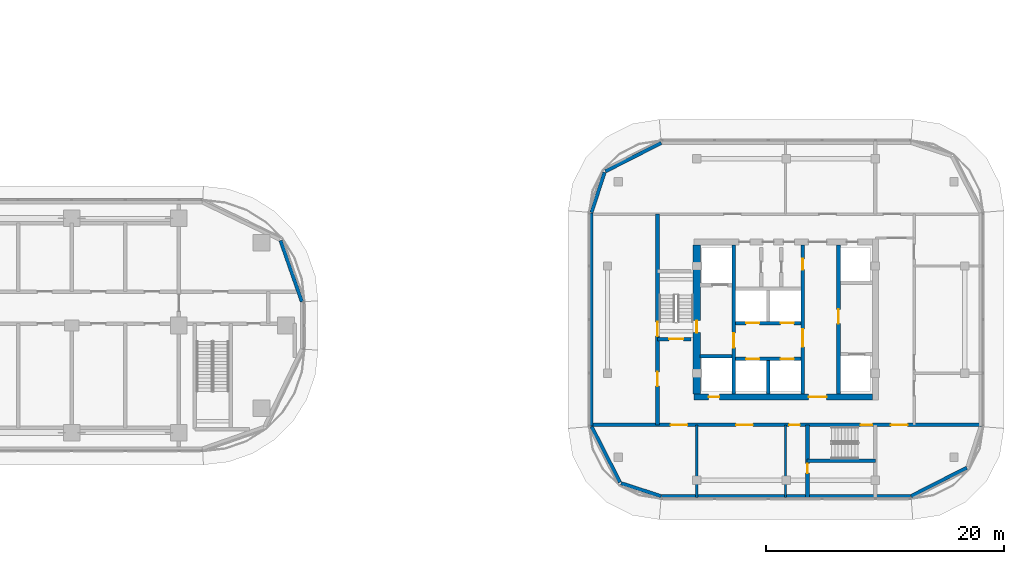
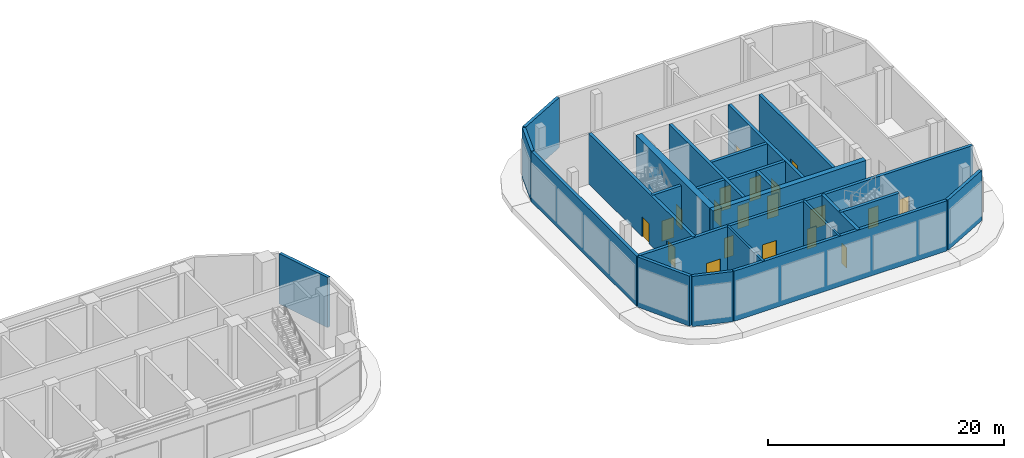
# One storey, part 7 of 23: 24 walls, 20 doors, 20 openings.
"""IFC4 building model written with IfcOpenShell, lengths in metres."""

from ifc_helpers import new_model, si_unit, direction, frame, frame_2d, origin, place, context, subcontext, project, spatial, rectangle, extrude, material, layer, layer_set, type_object, element, fill, save


model = new_model("IFC4")

# Units and contexts
model_context = context("Model", 3, precision=1e-05, world=origin(), true_north=direction((0.0, 1.0)))
body_context = subcontext(model_context, "Body", "Model", "MODEL_VIEW")
ifc_project = project(units=[si_unit("LENGTHUNIT", "METRE"), si_unit("AREAUNIT", "SQUARE_METRE"), si_unit("VOLUMEUNIT", "CUBIC_METRE"), si_unit("PLANEANGLEUNIT", "RADIAN"), si_unit("MASSUNIT", "GRAM", prefix="KILO")], contexts=[model_context])

# Site, building, storey
site_placement = place(None, origin())
site = spatial("IfcSite", under=ifc_project, at=site_placement, CompositionType="ELEMENT")
building_placement = place(site_placement, origin())
building = spatial("IfcBuilding", under=site, at=building_placement, Name="Ogive Portal Towers", CompositionType="ELEMENT")
storey_placement = place(building_placement, frame((0.0, 0.0, 81.60009765625)))
storey = spatial("IfcBuildingStorey", under=building, at=storey_placement, Name="L19", CompositionType="ELEMENT", Elevation=81.60009765625)

# Wall, opening, door
ifc_material_1 = material(Name="Concrete C60/75", Category="concrete")
ifc_layer_1 = layer(ifc_material_1, 0.300048828125)
ifc_layer_set_1 = layer_set([ifc_layer_1], Name="CORE WALL 300 C60")
wall_type_1 = type_object("IfcWallType", Name="CORE WALL 300 C60", PredefinedType="SHEAR", material=ifc_layer_set_1)
wall_1_placement = place(storey_placement, frame((132.10009765625, 24.75, 0.0), z_axis=(0.0, 0.0, 1.0), x_axis=(0.0, 1.0, 0.0)))
wall_1 = element("IfcWall", 1, at=wall_1_placement, inside=storey, type_object=wall_type_1, Name="Tower B core wall BX1 L19", PredefinedType="SHEAR", context=body_context, shape_type="SweptSolid", body=[
    extrude(rectangle(XDim=12.5, YDim=0.300048828125, at=frame_2d((6.25, 0.0))), origin(), (0.0, 0.0, 1.0), 5.5),
])
opening_1_placement = place(wall_1_placement, frame((3.89990234375, 0.0, 0.0)))
opening_1 = element("IfcOpeningElement", 2, at=opening_1_placement, cuts=wall_1, Name="Opening B06-020", PredefinedType="OPENING", context=body_context, shape_type="SweptSolid", body=[
    extrude(rectangle(XDim=1.199951171875, YDim=2.10009765625, at=frame_2d((0.60009765625, 1.050048828125))), frame((0.0, 0.16015625, 0.0), z_axis=(0.0, -1.0, 0.0), x_axis=(1.0, 0.0, 0.0)), (0.0, 0.0, 1.0), 0.320068359375),
])
ifc_material_2 = material(Name="Steel fire door", Category="steel")
door_type_1 = type_object("IfcDoorType", Name="DT-SWING-1200x2100-FD90S", OperationType="SINGLE_SWING_LEFT", PredefinedType="DOOR", material=ifc_material_2)
door_1_placement = place(opening_1_placement, origin())
door_1 = element("IfcDoor", 3, at=door_1_placement, inside=storey, type_object=door_type_1, Name="Door B06-020", OperationType="SINGLE_SWING_LEFT", OverallHeight=2.10009765625, OverallWidth=1.199951171875, PredefinedType="DOOR", context=body_context, shape_type="SweptSolid", body=[
    extrude(rectangle(XDim=1.199951171875, YDim=2.10009765625, at=frame_2d((0.60009765625, 1.050048828125))), frame((0.0, 0.02490234375, 0.0), z_axis=(0.0, -1.0, 0.0), x_axis=(1.0, 0.0, 0.0)), (0.0, 0.0, 1.0), 0.050048828125),
])
fill(opening_1, door_1)

# Wall, openings, doors
wall_2_placement = place(storey_placement, frame((137.89990234375, 24.75, 0.0), z_axis=(0.0, 0.0, 1.0), x_axis=(0.0, 1.0, 0.0)))
wall_2 = element("IfcWall", 4, at=wall_2_placement, inside=storey, type_object=wall_type_1, Name="Tower B core wall BX2 L19", PredefinedType="SHEAR", context=body_context, shape_type="SweptSolid", body=[
    extrude(rectangle(XDim=12.5, YDim=0.300048828125, at=frame_2d((6.25, 0.0))), origin(), (0.0, 0.0, 1.0), 5.5),
])
opening_2_placement = place(wall_2_placement, frame((3.949951171875, 0.0, 0.0)))
opening_2 = element("IfcOpeningElement", 5, at=opening_2_placement, cuts=wall_2, Name="Opening B06-019", PredefinedType="OPENING", context=body_context, shape_type="SweptSolid", body=[
    extrude(rectangle(XDim=1.5, YDim=2.10009765625, at=frame_2d((0.75, 1.050048828125))), frame((0.0, 0.16015625, 0.0), z_axis=(0.0, -1.0, 0.0), x_axis=(1.0, 0.0, 0.0)), (0.0, 0.0, 1.0), 0.320068359375),
])
opening_3_placement = place(wall_2_placement, frame((10.449951171875, 0.0, 0.0)))
opening_3 = element("IfcOpeningElement", 6, at=opening_3_placement, cuts=wall_2, Name="Opening B06-036", PredefinedType="OPENING", context=body_context, shape_type="SweptSolid", body=[
    extrude(rectangle(XDim=0.89990234375, YDim=2.10009765625, at=frame_2d((0.449951171875, 1.050048828125))), frame((0.0, 0.16015625, 0.0), z_axis=(0.0, -1.0, 0.0), x_axis=(1.0, 0.0, 0.0)), (0.0, 0.0, 1.0), 0.320068359375),
])
door_type_2 = type_object("IfcDoorType", Name="DT-SWING-1500x2100-FD90S", OperationType="SINGLE_SWING_LEFT", PredefinedType="DOOR", material=ifc_material_2)
door_2_placement = place(opening_2_placement, origin())
door_2 = element("IfcDoor", 7, at=door_2_placement, inside=storey, type_object=door_type_2, Name="Door B06-019", OperationType="SINGLE_SWING_RIGHT", OverallHeight=2.10009765625, OverallWidth=1.5, PredefinedType="DOOR", context=body_context, shape_type="SweptSolid", body=[
    extrude(rectangle(XDim=1.5, YDim=2.10009765625, at=frame_2d((0.75, 1.050048828125))), frame((0.0, 0.02490234375, 0.0), z_axis=(0.0, -1.0, 0.0), x_axis=(1.0, 0.0, 0.0)), (0.0, 0.0, 1.0), 0.050048828125),
])
fill(opening_2, door_2)
door_type_3 = type_object("IfcDoorType", Name="DT-SWING-900x2100-FD90S", OperationType="SINGLE_SWING_LEFT", PredefinedType="DOOR", material=ifc_material_2)
door_3_placement = place(opening_3_placement, origin())
door_3 = element("IfcDoor", 8, at=door_3_placement, inside=storey, type_object=door_type_3, Name="Door B06-036", OperationType="SINGLE_SWING_RIGHT", OverallHeight=2.10009765625, OverallWidth=0.89990234375, PredefinedType="DOOR", context=body_context, shape_type="SweptSolid", body=[
    extrude(rectangle(XDim=0.89990234375, YDim=2.10009765625, at=frame_2d((0.449951171875, 1.050048828125))), frame((0.0, 0.02490234375, 0.0), z_axis=(0.0, -1.0, 0.0), x_axis=(1.0, 0.0, 0.0)), (0.0, 0.0, 1.0), 0.050048828125),
])
fill(opening_3, door_3)

# Wall, opening, door
wall_3_placement = place(storey_placement, frame((140.89990234375, 24.75, 0.0), z_axis=(0.0, 0.0, 1.0), x_axis=(0.0, 1.0, 0.0)))
wall_3 = element("IfcWall", 9, at=wall_3_placement, inside=storey, type_object=wall_type_1, Name="Tower B core wall BX3 L19", PredefinedType="SHEAR", context=body_context, shape_type="SweptSolid", body=[
    extrude(rectangle(XDim=12.5, YDim=0.300048828125, at=frame_2d((6.25, 0.0))), origin(), (0.0, 0.0, 1.0), 5.5),
])
opening_4_placement = place(wall_3_placement, frame((5.89990234375, 0.0, 0.0)))
opening_4 = element("IfcOpeningElement", 10, at=opening_4_placement, cuts=wall_3, Name="Opening B06-021", PredefinedType="OPENING", context=body_context, shape_type="SweptSolid", body=[
    extrude(rectangle(XDim=1.199951171875, YDim=2.10009765625, at=frame_2d((0.60009765625, 1.050048828125))), frame((0.0, 0.16015625, 0.0), z_axis=(0.0, -1.0, 0.0), x_axis=(1.0, 0.0, 0.0)), (0.0, 0.0, 1.0), 0.320068359375),
])
door_4_placement = place(opening_4_placement, origin())
door_4 = element("IfcDoor", 11, at=door_4_placement, inside=storey, type_object=door_type_1, Name="Door B06-021", OperationType="SINGLE_SWING_RIGHT", OverallHeight=2.10009765625, OverallWidth=1.199951171875, PredefinedType="DOOR", context=body_context, shape_type="SweptSolid", body=[
    extrude(rectangle(XDim=1.199951171875, YDim=2.10009765625, at=frame_2d((0.60009765625, 1.050048828125))), frame((0.0, 0.02490234375, 0.0), z_axis=(0.0, -1.0, 0.0), x_axis=(1.0, 0.0, 0.0)), (0.0, 0.0, 1.0), 0.050048828125),
])
fill(opening_4, door_4)

# Wall
wall_4_placement = place(storey_placement, frame((135.0, 24.75, 0.0), z_axis=(0.0, 0.0, 1.0), x_axis=(0.0, 1.0, 0.0)))
element("IfcWall", 12, at=wall_4_placement, inside=storey, type_object=wall_type_1, Name="Tower B core wall BX4 L19", PredefinedType="SHEAR", context=body_context, shape_type="SweptSolid", body=[
    extrude(rectangle(XDim=2.800048828125, YDim=0.300048828125, at=frame_2d((1.39990234375, 0.0))), origin(), (0.0, 0.0, 1.0), 5.5),
])

# Wall, openings, doors
wall_5_placement = place(storey_placement, frame((132.25, 27.699951171875, 0.0), z_axis=(0.0, 0.0, 1.0), x_axis=(1.0, 0.0, 0.0)))
wall_5 = element("IfcWall", 13, at=wall_5_placement, inside=storey, type_object=wall_type_1, Name="Tower B core wall BY1 L19", PredefinedType="SHEAR", context=body_context, shape_type="SweptSolid", body=[
    extrude(rectangle(XDim=5.5, YDim=0.300048828125, at=frame_2d((2.75, 0.0))), origin(), (0.0, 0.0, 1.0), 5.5),
])
opening_5_placement = place(wall_5_placement, frame((0.89990234375, 0.0, 0.0)))
opening_5 = element("IfcOpeningElement", 14, at=opening_5_placement, cuts=wall_5, Name="Opening B06-027", PredefinedType="OPENING", context=body_context, shape_type="SweptSolid", body=[
    extrude(rectangle(XDim=1.10009765625, YDim=2.39990234375, at=frame_2d((0.550048828125, 1.199951171875))), frame((0.0, 0.16015625, 0.0), z_axis=(0.0, -1.0, 0.0), x_axis=(1.0, 0.0, 0.0)), (0.0, 0.0, 1.0), 0.320068359375),
])
opening_6_placement = place(wall_5_placement, frame((3.800048828125, 0.0, 0.0)))
opening_6 = element("IfcOpeningElement", 15, at=opening_6_placement, cuts=wall_5, Name="Opening B06-028", PredefinedType="OPENING", context=body_context, shape_type="SweptSolid", body=[
    extrude(rectangle(XDim=1.10009765625, YDim=2.39990234375, at=frame_2d((0.550048828125, 1.199951171875))), frame((0.0, 0.16015625, 0.0), z_axis=(0.0, -1.0, 0.0), x_axis=(1.0, 0.0, 0.0)), (0.0, 0.0, 1.0), 0.320068359375),
])
ifc_material_3 = material(Name="Stainless steel", Category="steel")
door_type_4 = type_object("IfcDoorType", Name="DT-LD-1100x2400", OperationType="SLIDING_TO_LEFT", PredefinedType="DOOR", material=ifc_material_3)
door_5_placement = place(opening_5_placement, origin())
door_5 = element("IfcDoor", 16, at=door_5_placement, inside=storey, type_object=door_type_4, Name="Door B06-027", OperationType="SLIDING_TO_LEFT", OverallHeight=2.39990234375, OverallWidth=1.10009765625, PredefinedType="DOOR", context=body_context, shape_type="SweptSolid", body=[
    extrude(rectangle(XDim=1.10009765625, YDim=2.39990234375, at=frame_2d((0.550048828125, 1.199951171875))), frame((0.0, 0.02490234375, 0.0), z_axis=(0.0, -1.0, 0.0), x_axis=(1.0, 0.0, 0.0)), (0.0, 0.0, 1.0), 0.050048828125),
])
fill(opening_5, door_5)
door_6_placement = place(opening_6_placement, origin())
door_6 = element("IfcDoor", 17, at=door_6_placement, inside=storey, type_object=door_type_4, Name="Door B06-028", OperationType="SLIDING_TO_LEFT", OverallHeight=2.39990234375, OverallWidth=1.10009765625, PredefinedType="DOOR", context=body_context, shape_type="SweptSolid", body=[
    extrude(rectangle(XDim=1.10009765625, YDim=2.39990234375, at=frame_2d((0.550048828125, 1.199951171875))), frame((0.0, 0.02490234375, 0.0), z_axis=(0.0, -1.0, 0.0), x_axis=(1.0, 0.0, 0.0)), (0.0, 0.0, 1.0), 0.050048828125),
])
fill(opening_6, door_6)

wall_6_placement = place(storey_placement, frame((132.25, 30.699951171875, 0.0), z_axis=(0.0, 0.0, 1.0), x_axis=(1.0, 0.0, 0.0)))
wall_6 = element("IfcWall", 18, at=wall_6_placement, inside=storey, type_object=wall_type_1, Name="Tower B core wall BY2 L19", PredefinedType="SHEAR", context=body_context, shape_type="SweptSolid", body=[
    extrude(rectangle(XDim=5.5, YDim=0.300048828125, at=frame_2d((2.75, 0.0))), origin(), (0.0, 0.0, 1.0), 5.5),
])
opening_7_placement = place(wall_6_placement, frame((0.89990234375, 0.0, 0.0)))
opening_7 = element("IfcOpeningElement", 19, at=opening_7_placement, cuts=wall_6, Name="Opening B06-029", PredefinedType="OPENING", context=body_context, shape_type="SweptSolid", body=[
    extrude(rectangle(XDim=1.10009765625, YDim=2.39990234375, at=frame_2d((0.550048828125, 1.199951171875))), frame((0.0, 0.16015625, 0.0), z_axis=(0.0, -1.0, 0.0), x_axis=(1.0, 0.0, 0.0)), (0.0, 0.0, 1.0), 0.320068359375),
])
opening_8_placement = place(wall_6_placement, frame((3.800048828125, 0.0, 0.0)))
opening_8 = element("IfcOpeningElement", 20, at=opening_8_placement, cuts=wall_6, Name="Opening B06-030", PredefinedType="OPENING", context=body_context, shape_type="SweptSolid", body=[
    extrude(rectangle(XDim=1.10009765625, YDim=2.39990234375, at=frame_2d((0.550048828125, 1.199951171875))), frame((0.0, 0.16015625, 0.0), z_axis=(0.0, -1.0, 0.0), x_axis=(1.0, 0.0, 0.0)), (0.0, 0.0, 1.0), 0.320068359375),
])
door_7_placement = place(opening_7_placement, origin())
door_7 = element("IfcDoor", 21, at=door_7_placement, inside=storey, type_object=door_type_4, Name="Door B06-029", OperationType="SLIDING_TO_LEFT", OverallHeight=2.39990234375, OverallWidth=1.10009765625, PredefinedType="DOOR", context=body_context, shape_type="SweptSolid", body=[
    extrude(rectangle(XDim=1.10009765625, YDim=2.39990234375, at=frame_2d((0.550048828125, 1.199951171875))), frame((0.0, 0.02490234375, 0.0), z_axis=(0.0, -1.0, 0.0), x_axis=(1.0, 0.0, 0.0)), (0.0, 0.0, 1.0), 0.050048828125),
])
fill(opening_7, door_7)
door_8_placement = place(opening_8_placement, origin())
door_8 = element("IfcDoor", 22, at=door_8_placement, inside=storey, type_object=door_type_4, Name="Door B06-030", OperationType="SLIDING_TO_LEFT", OverallHeight=2.39990234375, OverallWidth=1.10009765625, PredefinedType="DOOR", context=body_context, shape_type="SweptSolid", body=[
    extrude(rectangle(XDim=1.10009765625, YDim=2.39990234375, at=frame_2d((0.550048828125, 1.199951171875))), frame((0.0, 0.02490234375, 0.0), z_axis=(0.0, -1.0, 0.0), x_axis=(1.0, 0.0, 0.0)), (0.0, 0.0, 1.0), 0.050048828125),
])
fill(opening_8, door_8)

# Wall
wall_7_placement = place(storey_placement, frame((129.25, 27.89990234375, 0.0), z_axis=(0.0, 0.0, 1.0), x_axis=(1.0, 0.0, 0.0)))
element("IfcWall", 23, at=wall_7_placement, inside=storey, type_object=wall_type_1, Name="Tower B core wall BY4 L19", PredefinedType="SHEAR", context=body_context, shape_type="SweptSolid", body=[
    extrude(rectangle(XDim=2.699951171875, YDim=0.300048828125, at=frame_2d((1.35009765625, 0.0))), origin(), (0.0, 0.0, 1.0), 5.5),
])

# Wall, openings, doors
ifc_layer_2 = layer(ifc_material_1, 0.5)
ifc_layer_set_2 = layer_set([ifc_layer_2], Name="CORE WALL 500 C60")
wall_type_2 = type_object("IfcWallType", Name="CORE WALL 500 C60", PredefinedType="SHEAR", material=ifc_layer_set_2)
wall_8_placement = place(storey_placement, frame((128.75, 24.5, 0.0), z_axis=(0.0, 0.0, 1.0), x_axis=(1.0, 0.0, 0.0)))
wall_8 = element("IfcWall", 24, at=wall_8_placement, inside=storey, type_object=wall_type_2, Name="Tower B core wall BS L19", PredefinedType="SHEAR", context=body_context, shape_type="SweptSolid", body=[
    extrude(rectangle(XDim=15.0, YDim=0.5, at=frame_2d((7.5, 0.0))), origin(), (0.0, 0.0, 1.0), 5.5),
])
opening_9_placement = place(wall_8_placement, frame((9.64990234375, 0.0, 0.0)))
opening_9 = element("IfcOpeningElement", 25, at=opening_9_placement, cuts=wall_8, Name="Opening B06-023", PredefinedType="OPENING", context=body_context, shape_type="SweptSolid", body=[
    extrude(rectangle(XDim=1.5, YDim=2.10009765625, at=frame_2d((0.75, 1.050048828125))), frame((0.0, 0.260009765625, 0.0), z_axis=(0.0, -1.0, 0.0), x_axis=(1.0, 0.0, 0.0)), (0.0, 0.0, 1.0), 0.52001953125),
])
opening_10_placement = place(wall_8_placement, frame((1.25, 0.0, 0.0)))
opening_10 = element("IfcOpeningElement", 26, at=opening_10_placement, cuts=wall_8, Name="Opening B06-025", PredefinedType="OPENING", context=body_context, shape_type="SweptSolid", body=[
    extrude(rectangle(XDim=0.89990234375, YDim=2.10009765625, at=frame_2d((0.449951171875, 1.050048828125))), frame((0.0, 0.260009765625, 0.0), z_axis=(0.0, -1.0, 0.0), x_axis=(1.0, 0.0, 0.0)), (0.0, 0.0, 1.0), 0.52001953125),
])
door_9_placement = place(opening_9_placement, origin())
door_9 = element("IfcDoor", 27, at=door_9_placement, inside=storey, type_object=door_type_2, Name="Door B06-023", OperationType="SINGLE_SWING_LEFT", OverallHeight=2.10009765625, OverallWidth=1.5, PredefinedType="DOOR", context=body_context, shape_type="SweptSolid", body=[
    extrude(rectangle(XDim=1.5, YDim=2.10009765625, at=frame_2d((0.75, 1.050048828125))), frame((0.0, 0.02490234375, 0.0), z_axis=(0.0, -1.0, 0.0), x_axis=(1.0, 0.0, 0.0)), (0.0, 0.0, 1.0), 0.050048828125),
])
fill(opening_9, door_9)
door_10_placement = place(opening_10_placement, origin())
door_10 = element("IfcDoor", 28, at=door_10_placement, inside=storey, type_object=door_type_3, Name="Riser access door B06-025", OperationType="SINGLE_SWING_LEFT", OverallHeight=2.10009765625, OverallWidth=0.89990234375, PredefinedType="DOOR", context=body_context, shape_type="SweptSolid", body=[
    extrude(rectangle(XDim=0.89990234375, YDim=2.10009765625, at=frame_2d((0.449951171875, 1.050048828125))), frame((0.0, 0.02490234375, 0.0), z_axis=(0.0, -1.0, 0.0), x_axis=(1.0, 0.0, 0.0)), (0.0, 0.0, 1.0), 0.050048828125),
])
fill(opening_10, door_10)

# Wall, opening, door
ifc_layer_3 = layer(ifc_material_1, 0.60009765625)
ifc_layer_set_3 = layer_set([ifc_layer_3], Name="CORE WALL 600 C60")
wall_type_3 = type_object("IfcWallType", Name="CORE WALL 600 C60", PredefinedType="SHEAR", material=ifc_layer_set_3)
wall_9_placement = place(storey_placement, frame((129.0, 24.75, 0.0), z_axis=(0.0, 0.0, 1.0), x_axis=(0.0, 1.0, 0.0)))
wall_9 = element("IfcWall", 29, at=wall_9_placement, inside=storey, type_object=wall_type_3, Name="Tower B core wall BW L19", PredefinedType="SHEAR", context=body_context, shape_type="SweptSolid", body=[
    extrude(rectangle(XDim=12.5, YDim=0.60009765625, at=frame_2d((6.25, 0.0))), origin(), (0.0, 0.0, 1.0), 5.5),
])
opening_11_placement = place(wall_9_placement, frame((5.14990234375, 0.0, 0.0)))
opening_11 = element("IfcOpeningElement", 30, at=opening_11_placement, cuts=wall_9, Name="Opening B06-022", PredefinedType="OPENING", context=body_context, shape_type="SweptSolid", body=[
    extrude(rectangle(XDim=1.0, YDim=2.10009765625, at=frame_2d((0.5, 1.050048828125))), frame((0.0, 0.31005859375, 0.0), z_axis=(0.0, -1.0, 0.0), x_axis=(1.0, 0.0, 0.0)), (0.0, 0.0, 1.0), 0.6201171875),
])
door_type_5 = type_object("IfcDoorType", Name="DT-SWING-1000x2100-FD90S", OperationType="SINGLE_SWING_LEFT", PredefinedType="DOOR", material=ifc_material_2)
door_11_placement = place(opening_11_placement, origin())
door_11 = element("IfcDoor", 31, at=door_11_placement, inside=storey, type_object=door_type_5, Name="Door B06-022", OperationType="SINGLE_SWING_RIGHT", OverallHeight=2.10009765625, OverallWidth=1.0, PredefinedType="DOOR", context=body_context, shape_type="SweptSolid", body=[
    extrude(rectangle(XDim=1.0, YDim=2.10009765625, at=frame_2d((0.5, 1.050048828125))), frame((0.0, 0.02490234375, 0.0), z_axis=(0.0, -1.0, 0.0), x_axis=(1.0, 0.0, 0.0)), (0.0, 0.0, 1.0), 0.050048828125),
])
fill(opening_11, door_11)

# Walls
ifc_material_4 = material(Name="Limestone cladding on lightweight block wall", Category="masonry")
ifc_layer_4 = layer(ifc_material_4, 0.300048828125)
ifc_layer_set_4 = layer_set([ifc_layer_4], Name="EXTERNAL WALL 300 STONE")
wall_type_4 = type_object("IfcWallType", Name="EXTERNAL WALL 300 STONE", PredefinedType="SOLIDWALL", material=ifc_layer_set_4)
wall_10_placement = place(storey_placement, frame((95.841552734375, 32.49853515625, 0.0), z_axis=(0.0, 0.0, 1.0), x_axis=(-0.330290447423, 0.943879346284, 0.0)))
element("IfcWall", 32, at=wall_10_placement, inside=storey, type_object=wall_type_4, Name="A:L19:f10:r0:wall", PredefinedType="SOLIDWALL", context=body_context, shape_type="SweptSolid", body=[
    extrude(rectangle(XDim=5.439453125, YDim=0.300048828125, at=frame_2d((2.7197265625, 0.0))), origin(), (0.0, 0.0, 1.0), 5.199951171875),
])
wall_11_placement = place(storey_placement, frame((120.166259765625, 22.00390625, 0.0), z_axis=(0.0, 0.0, 1.0), x_axis=(0.454006562826, -0.890998339455, 0.0)))
element("IfcWall", 33, at=wall_11_placement, inside=storey, type_object=wall_type_4, Name="B:L19:f00:r0:wall", PredefinedType="SOLIDWALL", context=body_context, shape_type="SweptSolid", body=[
    extrude(rectangle(XDim=5.251708984375, YDim=0.300048828125, at=frame_2d((2.6259765625, 0.0))), origin(), (0.0, 0.0, 1.0), 5.199951171875),
])
wall_12_placement = place(storey_placement, frame((122.637939453125, 17.250244140625, 0.0), z_axis=(0.0, 0.0, 1.0), x_axis=(0.951038127287, -0.309073584194, 0.0)))
element("IfcWall", 34, at=wall_12_placement, inside=storey, type_object=wall_type_4, Name="B:L19:f01:r0:wall", PredefinedType="SOLIDWALL", context=body_context, shape_type="SweptSolid", body=[
    extrude(rectangle(XDim=3.536376953125, YDim=0.300048828125, at=frame_2d((1.76806640625, 0.0))), origin(), (0.0, 0.0, 1.0), 5.199951171875),
])
wall_13_placement = place(storey_placement, frame((126.047607421875, 16.14990234375, 0.0), z_axis=(0.0, 0.0, 1.0), x_axis=(1.0, 0.0, 0.0)))
element("IfcWall", 35, at=wall_13_placement, inside=storey, type_object=wall_type_4, Name="B:L19:f02:r0:wall", PredefinedType="SOLIDWALL", context=body_context, shape_type="SweptSolid", body=[
    extrude(rectangle(XDim=20.88037109375, YDim=0.300048828125, at=frame_2d((10.440185546875, 0.0))), origin(), (0.0, 0.0, 1.0), 5.199951171875),
])
for number, where, z_axis, x_axis, name in (
    (36, (146.99609375, 16.166259765625, 0.0), (0.0, 0.0, 1.0), (0.890998339455, 0.454006562826, 0.0), "B:L19:f03:r0:wall"),
    (37, (126.00390625, 45.833740234375, 0.0), (0.0, 0.0, 1.0), (-0.890998339455, -0.454006562826, 0.0), "B:L19:f09:r0:wall"),
):
    element("IfcWall", number, at=place(storey_placement, frame(where, z_axis=z_axis, x_axis=x_axis)), inside=storey, type_object=wall_type_4, Name=name, PredefinedType="SOLIDWALL", context=body_context, shape_type="SweptSolid", body=[
        extrude(rectangle(XDim=5.251708984375, YDim=0.300048828125, at=frame_2d((2.6259765625, 0.0))), origin(), (0.0, 0.0, 1.0), 5.199951171875),
    ])
wall_14_placement = place(storey_placement, frame((121.250244140625, 43.362060546875, 0.0), z_axis=(0.0, 0.0, 1.0), x_axis=(-0.309073584194, -0.951038127287, 0.0)))
element("IfcWall", 38, at=wall_14_placement, inside=storey, type_object=wall_type_4, Name="B:L19:f10:r0:wall", PredefinedType="SOLIDWALL", context=body_context, shape_type="SweptSolid", body=[
    extrude(rectangle(XDim=3.536376953125, YDim=0.300048828125, at=frame_2d((1.76806640625, 0.0))), origin(), (0.0, 0.0, 1.0), 5.199951171875),
])
wall_15_placement = place(storey_placement, frame((120.14990234375, 39.952392578125, 0.0), z_axis=(0.0, 0.0, 1.0), x_axis=(0.0, -1.0, 0.0)))
element("IfcWall", 39, at=wall_15_placement, inside=storey, type_object=wall_type_4, Name="B:L19:f11:r0:wall", PredefinedType="SOLIDWALL", context=body_context, shape_type="SweptSolid", body=[
    extrude(rectangle(XDim=17.88037109375, YDim=0.300048828125, at=frame_2d((8.940185546875, 0.0))), origin(), (0.0, 0.0, 1.0), 5.199951171875),
])
ifc_material_5 = material(Name="Concrete C50/60", Category="concrete")
ifc_layer_5 = layer(ifc_material_5, 0.300048828125)
ifc_layer_set_5 = layer_set([ifc_layer_5], Name="STAIR WALL 300 C50")
wall_type_5 = type_object("IfcWallType", Name="STAIR WALL 300 C50", PredefinedType="SHEAR", material=ifc_layer_set_5)
wall_16_placement = place(storey_placement, frame((138.25, 19.14990234375, 0.0), z_axis=(0.0, 0.0, 1.0), x_axis=(1.0, 0.0, 0.0)))
element("IfcWall", 40, at=wall_16_placement, inside=storey, type_object=wall_type_5, Name="Stair wall ST-B2 L19", PredefinedType="SHEAR", context=body_context, shape_type="SweptSolid", body=[
    extrude(rectangle(XDim=5.75, YDim=0.300048828125, at=frame_2d((2.875, 0.0))), origin(), (0.0, 0.0, 1.0), 5.199951171875),
])

# Wall, openings, doors
wall_17_placement = place(storey_placement, frame((120.070068359375, 22.14990234375, 0.0), z_axis=(0.0, 0.0, 1.0), x_axis=(1.0, 0.0, 0.0)))
wall_17 = element("IfcWall", 41, at=wall_17_placement, inside=storey, type_object=wall_type_5, Name="Stair wall ST-B2 L19", PredefinedType="SHEAR", context=body_context, shape_type="SweptSolid", body=[
    extrude(rectangle(XDim=32.85986328125, YDim=0.300048828125, at=frame_2d((16.429931640625, 0.0))), origin(), (0.0, 0.0, 1.0), 5.199951171875),
])
opening_12_placement = place(wall_17_placement, frame((22.679931640625, 0.0, 0.0)))
opening_12 = element("IfcOpeningElement", 42, at=opening_12_placement, cuts=wall_17, Name="Opening B06-003", PredefinedType="OPENING", context=body_context, shape_type="SweptSolid", body=[
    extrude(rectangle(XDim=1.0, YDim=2.10009765625, at=frame_2d((0.5, 1.050048828125))), frame((0.0, 0.16015625, 0.0), z_axis=(0.0, -1.0, 0.0), x_axis=(1.0, 0.0, 0.0)), (0.0, 0.0, 1.0), 0.320068359375),
])
opening_13_placement = place(wall_17_placement, frame((6.72998046875, 0.0, 0.0)))
opening_13 = element("IfcOpeningElement", 43, at=opening_13_placement, cuts=wall_17, Name="Opening B06-009", PredefinedType="OPENING", context=body_context, shape_type="SweptSolid", body=[
    extrude(rectangle(XDim=1.39990234375, YDim=2.10009765625, at=frame_2d((0.699951171875, 1.050048828125))), frame((0.0, 0.16015625, 0.0), z_axis=(0.0, -1.0, 0.0), x_axis=(1.0, 0.0, 0.0)), (0.0, 0.0, 1.0), 0.320068359375),
])
opening_14_placement = place(wall_17_placement, frame((12.22998046875, 0.0, 0.0)))
opening_14 = element("IfcOpeningElement", 44, at=opening_14_placement, cuts=wall_17, Name="Opening B06-010", PredefinedType="OPENING", context=body_context, shape_type="SweptSolid", body=[
    extrude(rectangle(XDim=1.39990234375, YDim=2.10009765625, at=frame_2d((0.699951171875, 1.050048828125))), frame((0.0, 0.16015625, 0.0), z_axis=(0.0, -1.0, 0.0), x_axis=(1.0, 0.0, 0.0)), (0.0, 0.0, 1.0), 0.320068359375),
])
opening_15_placement = place(wall_17_placement, frame((25.22998046875, 0.0, 0.0)))
opening_15 = element("IfcOpeningElement", 45, at=opening_15_placement, cuts=wall_17, Name="Opening B06-011", PredefinedType="OPENING", context=body_context, shape_type="SweptSolid", body=[
    extrude(rectangle(XDim=1.39990234375, YDim=2.10009765625, at=frame_2d((0.699951171875, 1.050048828125))), frame((0.0, 0.16015625, 0.0), z_axis=(0.0, -1.0, 0.0), x_axis=(1.0, 0.0, 0.0)), (0.0, 0.0, 1.0), 0.320068359375),
])
opening_16_placement = place(wall_17_placement, frame((16.679931640625, 0.0, 0.0)))
opening_16 = element("IfcOpeningElement", 46, at=opening_16_placement, cuts=wall_17, Name="Opening B06-012", PredefinedType="OPENING", context=body_context, shape_type="SweptSolid", body=[
    extrude(rectangle(XDim=0.89990234375, YDim=2.10009765625, at=frame_2d((0.449951171875, 1.050048828125))), frame((0.0, 0.16015625, 0.0), z_axis=(0.0, -1.0, 0.0), x_axis=(1.0, 0.0, 0.0)), (0.0, 0.0, 1.0), 0.320068359375),
])
door_12_placement = place(opening_12_placement, origin())
door_12 = element("IfcDoor", 47, at=door_12_placement, inside=storey, type_object=door_type_5, Name="Door B06-003", OperationType="SINGLE_SWING_LEFT", OverallHeight=2.10009765625, OverallWidth=1.0, PredefinedType="DOOR", context=body_context, shape_type="SweptSolid", body=[
    extrude(rectangle(XDim=1.0, YDim=2.10009765625, at=frame_2d((0.5, 1.050048828125))), frame((0.0, 0.02490234375, 0.0), z_axis=(0.0, -1.0, 0.0), x_axis=(1.0, 0.0, 0.0)), (0.0, 0.0, 1.0), 0.050048828125),
])
fill(opening_12, door_12)
door_type_6 = type_object("IfcDoorType", Name="DT-SWING-1400x2100-FD90S", OperationType="SINGLE_SWING_LEFT", PredefinedType="DOOR", material=ifc_material_2)
door_13_placement = place(opening_13_placement, origin())
door_13 = element("IfcDoor", 48, at=door_13_placement, inside=storey, type_object=door_type_6, Name="Door B06-009", OperationType="SINGLE_SWING_LEFT", OverallHeight=2.10009765625, OverallWidth=1.39990234375, PredefinedType="DOOR", context=body_context, shape_type="SweptSolid", body=[
    extrude(rectangle(XDim=1.39990234375, YDim=2.10009765625, at=frame_2d((0.699951171875, 1.050048828125))), frame((0.0, 0.02490234375, 0.0), z_axis=(0.0, -1.0, 0.0), x_axis=(1.0, 0.0, 0.0)), (0.0, 0.0, 1.0), 0.050048828125),
])
fill(opening_13, door_13)
door_14_placement = place(opening_14_placement, origin())
door_14 = element("IfcDoor", 49, at=door_14_placement, inside=storey, type_object=door_type_6, Name="Door B06-010", OperationType="SINGLE_SWING_RIGHT", OverallHeight=2.10009765625, OverallWidth=1.39990234375, PredefinedType="DOOR", context=body_context, shape_type="SweptSolid", body=[
    extrude(rectangle(XDim=1.39990234375, YDim=2.10009765625, at=frame_2d((0.699951171875, 1.050048828125))), frame((0.0, 0.02490234375, 0.0), z_axis=(0.0, -1.0, 0.0), x_axis=(1.0, 0.0, 0.0)), (0.0, 0.0, 1.0), 0.050048828125),
])
fill(opening_14, door_14)
door_15_placement = place(opening_15_placement, origin())
door_15 = element("IfcDoor", 50, at=door_15_placement, inside=storey, type_object=door_type_6, Name="Door B06-011", OperationType="SINGLE_SWING_LEFT", OverallHeight=2.10009765625, OverallWidth=1.39990234375, PredefinedType="DOOR", context=body_context, shape_type="SweptSolid", body=[
    extrude(rectangle(XDim=1.39990234375, YDim=2.10009765625, at=frame_2d((0.699951171875, 1.050048828125))), frame((0.0, 0.02490234375, 0.0), z_axis=(0.0, -1.0, 0.0), x_axis=(1.0, 0.0, 0.0)), (0.0, 0.0, 1.0), 0.050048828125),
])
fill(opening_15, door_15)
door_16_placement = place(opening_16_placement, origin())
door_16 = element("IfcDoor", 51, at=door_16_placement, inside=storey, type_object=door_type_3, Name="Door B06-012", OperationType="SINGLE_SWING_RIGHT", OverallHeight=2.10009765625, OverallWidth=0.89990234375, PredefinedType="DOOR", context=body_context, shape_type="SweptSolid", body=[
    extrude(rectangle(XDim=0.89990234375, YDim=2.10009765625, at=frame_2d((0.449951171875, 1.050048828125))), frame((0.0, 0.02490234375, 0.0), z_axis=(0.0, -1.0, 0.0), x_axis=(1.0, 0.0, 0.0)), (0.0, 0.0, 1.0), 0.050048828125),
])
fill(opening_16, door_16)

# Wall, opening, door
wall_18_placement = place(storey_placement, frame((125.699951171875, 29.35009765625, 0.0), z_axis=(0.0, 0.0, 1.0), x_axis=(1.0, 0.0, 0.0)))
wall_18 = element("IfcWall", 52, at=wall_18_placement, inside=storey, type_object=wall_type_5, Name="Stair wall ST-B1 L19", PredefinedType="SHEAR", context=body_context, shape_type="SweptSolid", body=[
    extrude(rectangle(XDim=2.830078125, YDim=0.300048828125, at=frame_2d((1.4150390625, 0.0))), origin(), (0.0, 0.0, 1.0), 5.199951171875),
])
opening_17_placement = place(wall_18_placement, frame((0.97509765625, 0.0, 0.0)))
opening_17 = element("IfcOpeningElement", 53, at=opening_17_placement, cuts=wall_18, Name="Opening B06-002", PredefinedType="OPENING", context=body_context, shape_type="SweptSolid", body=[
    extrude(rectangle(XDim=1.199951171875, YDim=2.10009765625, at=frame_2d((0.60009765625, 1.050048828125))), frame((0.0, 0.16015625, 0.0), z_axis=(0.0, -1.0, 0.0), x_axis=(1.0, 0.0, 0.0)), (0.0, 0.0, 1.0), 0.320068359375),
])
door_17_placement = place(opening_17_placement, origin())
door_17 = element("IfcDoor", 54, at=door_17_placement, inside=storey, type_object=door_type_1, Name="Door B06-002", OperationType="SINGLE_SWING_RIGHT", OverallHeight=2.10009765625, OverallWidth=1.199951171875, PredefinedType="DOOR", context=body_context, shape_type="SweptSolid", body=[
    extrude(rectangle(XDim=1.199951171875, YDim=2.10009765625, at=frame_2d((0.60009765625, 1.050048828125))), frame((0.0, 0.02490234375, 0.0), z_axis=(0.0, -1.0, 0.0), x_axis=(1.0, 0.0, 0.0)), (0.0, 0.0, 1.0), 0.050048828125),
])
fill(opening_17, door_17)

# Wall, openings, doors
wall_19_placement = place(storey_placement, frame((125.699951171875, 22.14990234375, 0.0), z_axis=(0.0, 0.0, 1.0), x_axis=(0.0, 1.0, 0.0)))
wall_19 = element("IfcWall", 55, at=wall_19_placement, inside=storey, type_object=wall_type_5, Name="Stair wall ST-B1 L19", PredefinedType="SHEAR", context=body_context, shape_type="SweptSolid", body=[
    extrude(rectangle(XDim=17.7001953125, YDim=0.300048828125, at=frame_2d((8.85009765625, 0.0))), origin(), (0.0, 0.0, 1.0), 5.199951171875),
])
opening_18_placement = place(wall_19_placement, frame((7.449951171875, 0.0, 0.0)))
opening_18 = element("IfcOpeningElement", 56, at=opening_18_placement, cuts=wall_19, Name="Opening B06-014", PredefinedType="OPENING", context=body_context, shape_type="SweptSolid", body=[
    extrude(rectangle(XDim=1.199951171875, YDim=2.10009765625, at=frame_2d((0.60009765625, 1.050048828125))), frame((0.0, 0.16015625, 0.0), z_axis=(0.0, -1.0, 0.0), x_axis=(1.0, 0.0, 0.0)), (0.0, 0.0, 1.0), 0.320068359375),
])
opening_19_placement = place(wall_19_placement, frame((3.25, 0.0, 0.0)))
opening_19 = element("IfcOpeningElement", 57, at=opening_19_placement, cuts=wall_19, Name="Opening B06-015", PredefinedType="OPENING", context=body_context, shape_type="SweptSolid", body=[
    extrude(rectangle(XDim=1.199951171875, YDim=2.10009765625, at=frame_2d((0.60009765625, 1.050048828125))), frame((0.0, 0.16015625, 0.0), z_axis=(0.0, -1.0, 0.0), x_axis=(1.0, 0.0, 0.0)), (0.0, 0.0, 1.0), 0.320068359375),
])
door_18_placement = place(opening_18_placement, origin())
door_18 = element("IfcDoor", 58, at=door_18_placement, inside=storey, type_object=door_type_1, Name="Door B06-014", OperationType="SINGLE_SWING_RIGHT", OverallHeight=2.10009765625, OverallWidth=1.199951171875, PredefinedType="DOOR", context=body_context, shape_type="SweptSolid", body=[
    extrude(rectangle(XDim=1.199951171875, YDim=2.10009765625, at=frame_2d((0.60009765625, 1.050048828125))), frame((0.0, 0.02490234375, 0.0), z_axis=(0.0, -1.0, 0.0), x_axis=(1.0, 0.0, 0.0)), (0.0, 0.0, 1.0), 0.050048828125),
])
fill(opening_18, door_18)
door_19_placement = place(opening_19_placement, origin())
door_19 = element("IfcDoor", 59, at=door_19_placement, inside=storey, type_object=door_type_1, Name="Door B06-015", OperationType="SINGLE_SWING_LEFT", OverallHeight=2.10009765625, OverallWidth=1.199951171875, PredefinedType="DOOR", context=body_context, shape_type="SweptSolid", body=[
    extrude(rectangle(XDim=1.199951171875, YDim=2.10009765625, at=frame_2d((0.60009765625, 1.050048828125))), frame((0.0, 0.02490234375, 0.0), z_axis=(0.0, -1.0, 0.0), x_axis=(1.0, 0.0, 0.0)), (0.0, 0.0, 1.0), 0.050048828125),
])
fill(opening_19, door_19)

# Wall, opening, door
wall_20_placement = place(storey_placement, frame((138.300048828125, 16.070068359375, 0.0), z_axis=(0.0, 0.0, 1.0), x_axis=(0.0, 1.0, 0.0)))
wall_20 = element("IfcWall", 60, at=wall_20_placement, inside=storey, type_object=wall_type_5, Name="Stair wall ST-B2 L19", PredefinedType="SHEAR", context=body_context, shape_type="SweptSolid", body=[
    extrude(rectangle(XDim=6.079833984375, YDim=0.300048828125, at=frame_2d((3.0400390625, 0.0))), origin(), (0.0, 0.0, 1.0), 5.199951171875),
])
opening_20_placement = place(wall_20_placement, frame((2.030029296875, 0.0, 0.0)))
opening_20 = element("IfcOpeningElement", 61, at=opening_20_placement, cuts=wall_20, Name="Opening B06-013", PredefinedType="OPENING", context=body_context, shape_type="SweptSolid", body=[
    extrude(rectangle(XDim=0.800048828125, YDim=2.10009765625, at=frame_2d((0.39990234375, 1.050048828125))), frame((0.0, 0.16015625, 0.0), z_axis=(0.0, -1.0, 0.0), x_axis=(1.0, 0.0, 0.0)), (0.0, 0.0, 1.0), 0.320068359375),
])
door_type_7 = type_object("IfcDoorType", Name="DT-SWING-800x2100-FD90S", OperationType="SINGLE_SWING_LEFT", PredefinedType="DOOR", material=ifc_material_2)
door_20_placement = place(opening_20_placement, origin())
door_20 = element("IfcDoor", 62, at=door_20_placement, inside=storey, type_object=door_type_7, Name="Door B06-013", OperationType="SINGLE_SWING_LEFT", OverallHeight=2.10009765625, OverallWidth=0.800048828125, PredefinedType="DOOR", context=body_context, shape_type="SweptSolid", body=[
    extrude(rectangle(XDim=0.800048828125, YDim=2.10009765625, at=frame_2d((0.39990234375, 1.050048828125))), frame((0.0, 0.02490234375, 0.0), z_axis=(0.0, -1.0, 0.0), x_axis=(1.0, 0.0, 0.0)), (0.0, 0.0, 1.0), 0.050048828125),
])
fill(opening_20, door_20)

# Walls
ifc_material_6 = material(Name="Gypsum board partition on steel studs", Category="steel")
ifc_layer_6 = layer(ifc_material_6, 0.199951171875)
ifc_layer_set_6 = layer_set([ifc_layer_6], Name="WT-PART-200-EI 60")
wall_type_6 = type_object("IfcWallType", Name="WT-PART-200-EI 60", PredefinedType="PARTITIONING", material=ifc_layer_set_6)
for number, where, z_axis, x_axis, name in (
    (63, (129.0, 16.070068359375, 0.0), (0.0, 0.0, 1.0), (0.0, 1.0, 0.0), "Wall L19:w015"),
    (64, (136.449951171875, 16.070068359375, 0.0), (0.0, 0.0, 1.0), (0.0, 1.0, 0.0), "Wall L19:w018"),
):
    element("IfcWall", number, at=place(storey_placement, frame(where, z_axis=z_axis, x_axis=x_axis)), inside=storey, type_object=wall_type_6, Name=name, PredefinedType="PARTITIONING", context=body_context, shape_type="SweptSolid", body=[
        extrude(rectangle(XDim=6.079833984375, YDim=0.199951171875, at=frame_2d((3.0400390625, 0.0))), origin(), (0.0, 0.0, 1.0), 5.199951171875),
    ])

save(model, "model.ifc")
